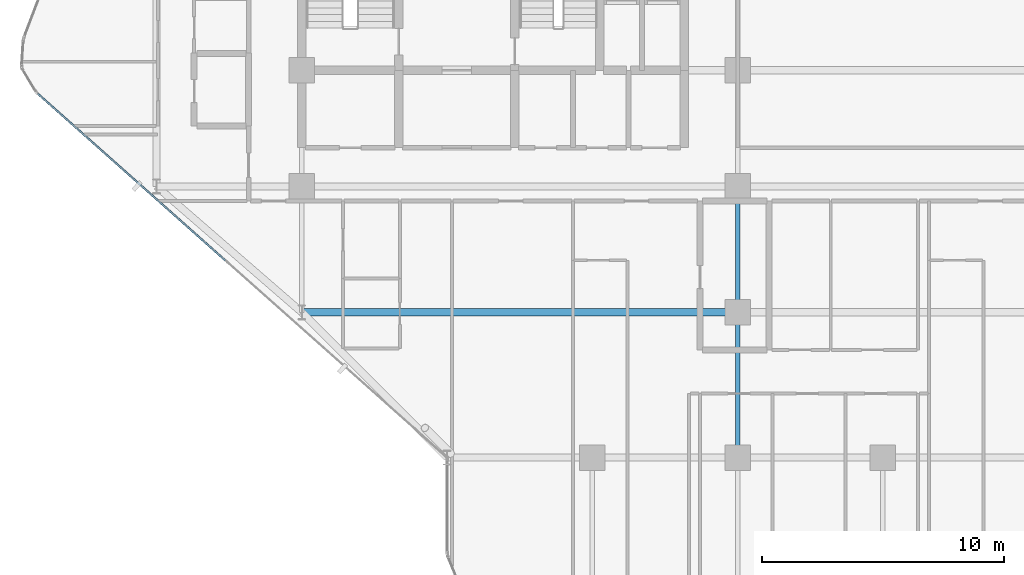
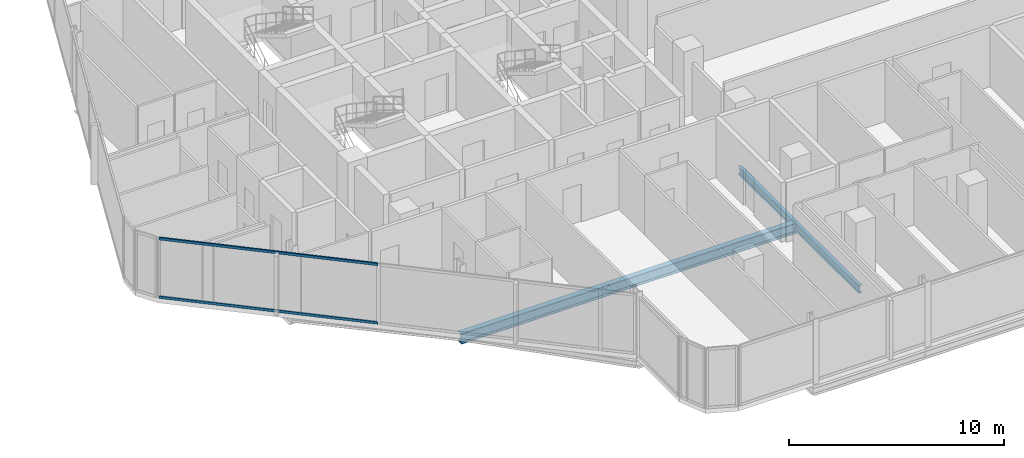
# One storey, part 5 of 30: 3 beams, 2 members, 1 element without a shape of its own.
"""IFC4 building model written with IfcOpenShell, lengths in metres."""

from ifc_helpers import new_model, si_unit, direction, frame, origin, origin_2d, place, context, subcontext, project, spatial, hollow_rectangle, i_section, extrude, material, layer, layer_set, material_profile, profile_set, type_object, element, aggregate, save


model = new_model("IFC4")

# Units and contexts
model_context = context("Model", 3, precision=1e-05, world=origin(), true_north=direction((0.0, 1.0)))
body_context = subcontext(model_context, "Body", "Model", "MODEL_VIEW")
ifc_project = project(units=[si_unit("LENGTHUNIT", "METRE"), si_unit("AREAUNIT", "SQUARE_METRE"), si_unit("VOLUMEUNIT", "CUBIC_METRE"), si_unit("PLANEANGLEUNIT", "RADIAN"), si_unit("MASSUNIT", "GRAM", prefix="KILO")], contexts=[model_context])

# Site, building, storey
site_placement = place(None, origin())
site = spatial("IfcSite", under=ifc_project, at=site_placement, CompositionType="ELEMENT")
building_placement = place(site_placement, origin())
building = spatial("IfcBuilding", under=site, at=building_placement, Name="Keshet Zoharim Tower", CompositionType="ELEMENT")
storey_placement = place(building_placement, frame((0.0, 0.0, 109.39990234375)))
storey = spatial("IfcBuildingStorey", under=building, at=storey_placement, Name="L26", CompositionType="ELEMENT", Elevation=109.39990234375)

# Beams
ifc_material_1 = material(Name="Steel S355", Category="steel")
ifc_material_profile_1 = material_profile(ifc_material_1, i_section(OverallWidth=0.300048828125, OverallDepth=0.60009765625, WebThickness=0.015380859375, FlangeThickness=0.030029296875, FilletRadius=0.027099609375, at=origin_2d()), Name="HEB600")
ifc_profile_set_1 = profile_set([ifc_material_profile_1], Name="Steel S355")
beam_type_1 = type_object("IfcBeamType", Name="BM-LNG-HB600", PredefinedType="BEAM", material=ifc_profile_set_1)
beam_1_placement = place(storey_placement, frame((15.0, 12.699951171875, -0.614990234375), z_axis=(1.0, 0.0, 0.0), x_axis=(0.0, 1.0, 0.0)))
element("IfcBeam", 1, at=beam_1_placement, inside=storey, type_object=beam_type_1, Name="L26 Primary Girder X-009", PredefinedType="BEAM", context=body_context, shape_type="SweptSolid", body=[
    extrude(i_section(OverallWidth=0.300048828125, OverallDepth=0.60009765625, WebThickness=0.015380859375, FlangeThickness=0.030029296875, FilletRadius=0.027099609375, at=origin_2d()), origin(), (0.0, 0.0, 1.0), 18.0),
])
ifc_material_profile_2 = material_profile(ifc_material_1, i_section(OverallWidth=0.18994140625, OverallDepth=0.449951171875, WebThickness=0.009521484375, FlangeThickness=0.0146484375, FilletRadius=0.02099609375, at=origin_2d()), Name="IPE450")
ifc_profile_set_2 = profile_set([ifc_material_profile_2], Name="Steel S355")
beam_type_2 = type_object("IfcBeamType", Name="BM-PRI-IP450", PredefinedType="BEAM", material=ifc_profile_set_2)
beam_2_placement = place(storey_placement, frame((33.0, 6.699951171875, -0.539794921875), z_axis=(0.0, 1.0, 0.0), x_axis=(-1.0, 0.0, 0.0)))
element("IfcBeam", 2, at=beam_2_placement, inside=storey, type_object=beam_type_2, Name="L26 Primary Girder Y-006", PredefinedType="BEAM", context=body_context, shape_type="SweptSolid", body=[
    extrude(i_section(OverallWidth=0.18994140625, OverallDepth=0.449951171875, WebThickness=0.009521484375, FlangeThickness=0.0146484375, FilletRadius=0.02099609375, at=origin_2d()), origin(), (0.0, 0.0, 1.0), 6.0),
])
beam_3_placement = place(storey_placement, frame((33.0, 12.699951171875, -0.539794921875), z_axis=(0.0, 1.0, 0.0), x_axis=(-1.0, 0.0, 0.0)))
element("IfcBeam", 3, at=beam_3_placement, inside=storey, type_object=beam_type_2, Name="L26 Primary Girder Y-007", PredefinedType="BEAM", context=body_context, shape_type="SweptSolid", body=[
    extrude(i_section(OverallWidth=0.18994140625, OverallDepth=0.449951171875, WebThickness=0.009521484375, FlangeThickness=0.0146484375, FilletRadius=0.02099609375, at=origin_2d()), origin(), (0.0, 0.0, 1.0), 5.199951171875),
])

# Curtain wall, members
ifc_material_2 = material(Name="Aluminium 6063-T6", Category="aluminium")
ifc_layer = layer(ifc_material_2, 0.159912109375)
ifc_layer_set = layer_set([ifc_layer], Name="Aluminium 6063-T6")
curtain_wall_type = type_object("IfcCurtainWallType", Name="CW-SYS-03", PredefinedType="NOTDEFINED", material=ifc_layer_set)
curtain_wall_placement = place(storey_placement, origin())
curtain_wall = element("IfcCurtainWall", 4, at=curtain_wall_placement, inside=storey, type_object=curtain_wall_type, Name="L26 Unitised Curtain Wall 07 Part 2", PredefinedType="NOTDEFINED")
ifc_material_profile_3 = material_profile(ifc_material_2, hollow_rectangle(XDim=0.080078125, YDim=0.139892578125, WallThickness=0.00390625, at=origin_2d()), Name="TRN-80x140")
ifc_profile_set_3 = profile_set([ifc_material_profile_3], Name="Aluminium 6063-T6")
member_type = type_object("IfcMemberType", Name="CWT-T14", PredefinedType="USERDEFINED", material=ifc_profile_set_3)
member_1_placement = place(storey_placement, frame((11.8388671875, 14.84326171875, 0.03515625), z_axis=(-0.747411916254, 0.664360916552, 0.0), x_axis=(-0.664360916552, -0.747411916254, 0.0)))
member_1 = element("IfcMember", 5, at=member_1_placement, type_object=member_type, Name="CW-03 transom 2.1", ObjectType="TRANSOM", PredefinedType="USERDEFINED", context=body_context, shape_type="SweptSolid", body=[
    extrude(hollow_rectangle(XDim=0.080078125, YDim=0.139892578125, WallThickness=0.00390625, at=origin_2d()), origin(), (0.0, 0.0, 1.0), 10.37109375),
])
member_2_placement = place(storey_placement, frame((11.8388671875, 14.84326171875, 3.35009765625), z_axis=(-0.747411916254, 0.664360916552, 0.0), x_axis=(-0.664360916552, -0.747411916254, 0.0)))
member_2 = element("IfcMember", 6, at=member_2_placement, type_object=member_type, Name="CW-03 transom 2.2", ObjectType="TRANSOM", PredefinedType="USERDEFINED", context=body_context, shape_type="SweptSolid", body=[
    extrude(hollow_rectangle(XDim=0.080078125, YDim=0.139892578125, WallThickness=0.00390625, at=origin_2d()), origin(), (0.0, 0.0, 1.0), 10.37109375),
])
aggregate(curtain_wall, [member_1, member_2])

save(model, "model.ifc")
